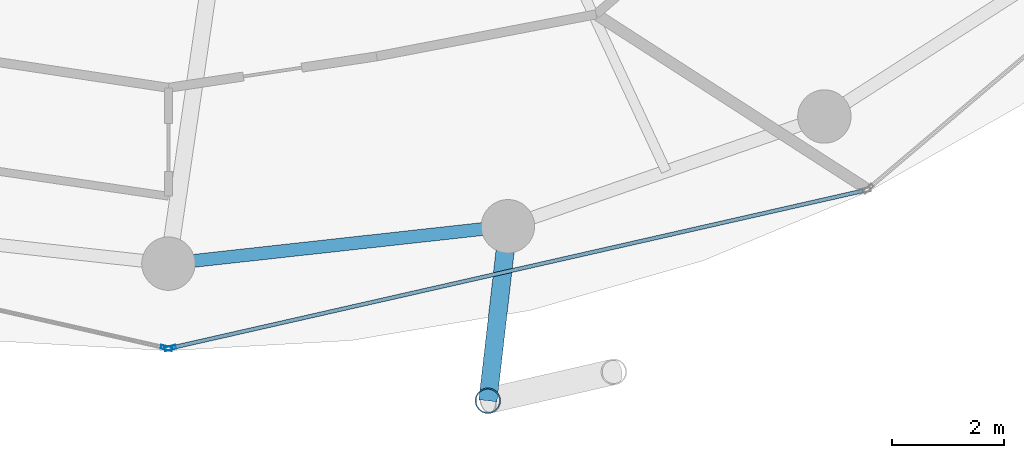
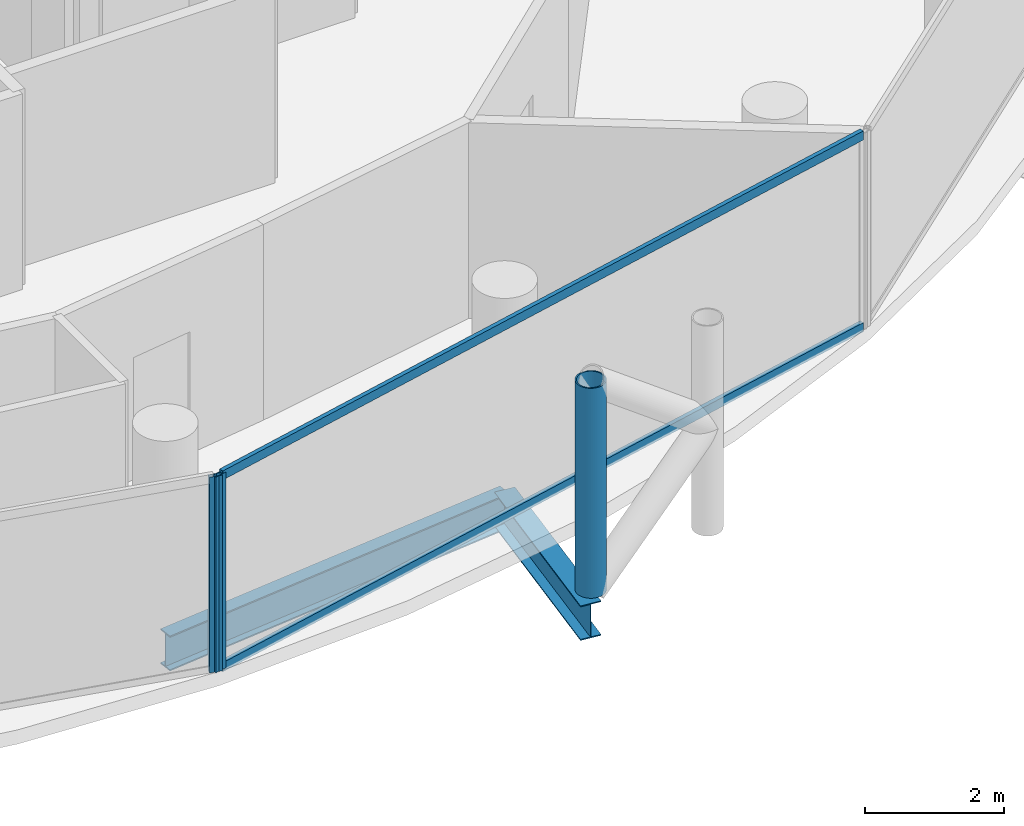
# One storey, part 4 of 26: 5 members, 2 beams, 2 elements without a shape of their own.
"""IFC4 building model written with IfcOpenShell, lengths in metres."""

from ifc_helpers import new_model, si_unit, direction, frame, origin, origin_2d, place, context, subcontext, project, spatial, hollow_rectangle, hollow_circle, i_section, extrude, material, layer, layer_set, material_profile, profile_set, type_object, element, aggregate, save


model = new_model("IFC4")

# Units and contexts
model_context = context("Model", 3, precision=1e-05, world=origin(), true_north=direction((0.0, 1.0)))
body_context = subcontext(model_context, "Body", "Model", "MODEL_VIEW")
ifc_project = project(units=[si_unit("LENGTHUNIT", "METRE"), si_unit("AREAUNIT", "SQUARE_METRE"), si_unit("VOLUMEUNIT", "CUBIC_METRE"), si_unit("PLANEANGLEUNIT", "RADIAN"), si_unit("MASSUNIT", "GRAM", prefix="KILO")], contexts=[model_context])

# Site, building, storey
site_placement = place(None, origin())
site = spatial("IfcSite", under=ifc_project, at=site_placement, CompositionType="ELEMENT")
building_placement = place(site_placement, origin())
building = spatial("IfcBuilding", under=site, at=building_placement, Name="Nuhasar Tower", CompositionType="ELEMENT")
storey_placement = place(building_placement, frame((0.0, 0.0, 181.14990234375)))
storey = spatial("IfcBuildingStorey", under=building, at=storey_placement, Name="L44", CompositionType="ELEMENT", Elevation=181.14990234375)

# Beams
ifc_material_1 = material(Name="Steel S355", Category="steel")
ifc_material_profile_1 = material_profile(ifc_material_1, i_section(OverallWidth=0.22998046875, OverallDepth=0.616943359375, WebThickness=0.01318359375, FlangeThickness=0.022216796875, at=origin_2d()), Name="W24X94")
ifc_profile_set_1 = profile_set([ifc_material_profile_1], Name="Steel S355")
beam_type_1 = type_object("IfcBeamType", Name="BM-RING-W24X94", PredefinedType="SPANDREL", material=ifc_profile_set_1)
beam_1_placement = place(storey_placement, frame((39.0, 7.25, -0.558837890625), z_axis=(0.993981289157, 0.109549974015, 0.0), x_axis=(-0.109549974015, 0.993981289157, 0.0)))
element("IfcBeam", 1, at=beam_1_placement, inside=storey, type_object=beam_type_1, Name="L44 Perimeter Ring Spandrel 19", PredefinedType="SPANDREL", context=body_context, shape_type="SweptSolid", body=[
    extrude(i_section(OverallWidth=0.22998046875, OverallDepth=0.616943359375, WebThickness=0.01318359375, FlangeThickness=0.022216796875, at=origin_2d()), origin(), (0.0, 0.0, 1.0), 6.07958984375),
])
ifc_material_profile_2 = material_profile(ifc_material_1, i_section(OverallWidth=0.323974609375, OverallDepth=0.611083984375, WebThickness=0.0126953125, FlangeThickness=0.01904296875, at=origin_2d()), Name="W24X104")
ifc_profile_set_2 = profile_set([ifc_material_profile_2], Name="Steel S355")
beam_type_2 = type_object("IfcBeamType", Name="BM-TIE-W24X104", PredefinedType="BEAM", material=ifc_profile_set_2)
beam_2_placement = place(storey_placement, frame((45.04296875, 7.916015625, -0.554931640625), z_axis=(-0.114167639647, -0.993461499031, 0.0), x_axis=(0.993461499031, -0.114167639647, 0.0)))
element("IfcBeam", 2, at=beam_2_placement, inside=storey, type_object=beam_type_2, Name="L44 Exoskeleton Node Tie Beam 10", PredefinedType="BEAM", context=body_context, shape_type="SweptSolid", body=[
    extrude(i_section(OverallWidth=0.323974609375, OverallDepth=0.611083984375, WebThickness=0.0126953125, FlangeThickness=0.01904296875, at=origin_2d()), origin(), (0.0, 0.0, 1.0), 3.12646484375),
])

# Curtain wall, member
ifc_material_2 = material(Name="Aluminium 6063-T6", Category="aluminium")
ifc_layer = layer(ifc_material_2, 0.199951171875)
ifc_layer_set = layer_set([ifc_layer], Name="Aluminium 6063-T6")
curtain_wall_type = type_object("IfcCurtainWallType", Name="CW-Z2-HTL", PredefinedType="NOTDEFINED", material=ifc_layer_set)
curtain_wall_1_placement = place(storey_placement, origin())
curtain_wall_1 = element("IfcCurtainWall", 3, at=curtain_wall_1_placement, inside=storey, type_object=curtain_wall_type, Name="L44 Unitised Curtain Wall 09", PredefinedType="NOTDEFINED")
ifc_material_profile_3 = material_profile(ifc_material_2, hollow_rectangle(XDim=0.070068359375, YDim=0.199951171875, WallThickness=0.0048828125, at=origin_2d()), Name="CWM-3")
ifc_profile_set_3 = profile_set([ifc_material_profile_3], Name="Aluminium 6063-T6")
member_type_1 = type_object("IfcMemberType", Name="CW-MUL-S3", PredefinedType="MULLION", material=ifc_profile_set_3)
member_1_placement = place(storey_placement, frame((38.9658203125, 5.747802734375, 0.0), z_axis=(0.0, 0.0, 1.0), x_axis=(0.22139729566, 0.975183694221, 0.0)))
member_1 = element("IfcMember", 4, at=member_1_placement, type_object=member_type_1, Name="CW-Z2 mullion 2", PredefinedType="MULLION", context=body_context, shape_type="SweptSolid", body=[
    extrude(hollow_rectangle(XDim=0.070068359375, YDim=0.199951171875, WallThickness=0.0048828125, at=origin_2d()), origin(), (0.0, 0.0, 1.0), 3.4501953125),
])
aggregate(curtain_wall_1, [member_1])

# Curtain wall, members
curtain_wall_2_placement = place(storey_placement, origin())
curtain_wall_2 = element("IfcCurtainWall", 5, at=curtain_wall_2_placement, inside=storey, type_object=curtain_wall_type, Name="L44 Unitised Curtain Wall 10", PredefinedType="NOTDEFINED")
member_2_placement = place(storey_placement, frame((39.0341796875, 5.747802734375, 0.0), z_axis=(0.0, 0.0, 1.0), x_axis=(-0.22139729566, 0.975183694221, 0.0)))
member_2 = element("IfcMember", 6, at=member_2_placement, type_object=member_type_1, Name="CW-Z2 mullion 1", PredefinedType="MULLION", context=body_context, shape_type="SweptSolid", body=[
    extrude(hollow_rectangle(XDim=0.070068359375, YDim=0.199951171875, WallThickness=0.0048828125, at=origin_2d()), origin(), (0.0, 0.0, 1.0), 3.4501953125),
])
ifc_material_profile_4 = material_profile(ifc_material_2, hollow_rectangle(XDim=0.070068359375, YDim=0.159912109375, WallThickness=0.00439453125, at=origin_2d()), Name="CWT-3")
ifc_profile_set_4 = profile_set([ifc_material_profile_4], Name="Aluminium 6063-T6")
member_type_2 = type_object("IfcMemberType", Name="CW-TRN-S3", PredefinedType="USERDEFINED", material=ifc_profile_set_4)
member_3_placement = place(storey_placement, frame((39.068359375, 5.755615234375, 0.03515625), z_axis=(0.975187615691, 0.221380022142, 0.0), x_axis=(-0.221380022142, 0.975187615691, 0.0)))
member_3 = element("IfcMember", 7, at=member_3_placement, type_object=member_type_2, Name="CW-Z2 transom 1.1", ObjectType="TRANSOM", PredefinedType="USERDEFINED", context=body_context, shape_type="SweptSolid", body=[
    extrude(hollow_rectangle(XDim=0.070068359375, YDim=0.159912109375, WallThickness=0.00439453125, at=origin_2d()), origin(), (0.0, 0.0, 1.0), 12.606201171875),
])
member_4_placement = place(storey_placement, frame((39.068359375, 5.755615234375, 3.4150390625), z_axis=(0.975187615691, 0.221380022142, 0.0), x_axis=(-0.221380022142, 0.975187615691, 0.0)))
member_4 = element("IfcMember", 8, at=member_4_placement, type_object=member_type_2, Name="CW-Z2 transom 1.2", ObjectType="TRANSOM", PredefinedType="USERDEFINED", context=body_context, shape_type="SweptSolid", body=[
    extrude(hollow_rectangle(XDim=0.070068359375, YDim=0.159912109375, WallThickness=0.00439453125, at=origin_2d()), origin(), (0.0, 0.0, 1.0), 12.606201171875),
])
aggregate(curtain_wall_2, [member_2, member_3, member_4])

# Member
ifc_material_3 = material(Name="Steel S460", Category="steel")
ifc_material_profile_5 = material_profile(ifc_material_3, hollow_circle(Radius=0.228515625, WallThickness=0.022216796875, at=origin_2d()), Name="HSS457X22.2")
ifc_profile_set_5 = profile_set([ifc_material_profile_5], Name="Steel S460")
member_type_3 = type_object("IfcMemberType", Name="EXO-BRONZE-457", PredefinedType="BRACE", material=ifc_profile_set_5)
member_5_placement = place(storey_placement, frame((44.68603515625, 4.81005859375, 0.0), z_axis=(0.0, 0.0, 1.0), x_axis=(1.0, 0.0, 0.0)))
element("IfcMember", 9, at=member_5_placement, inside=storey, type_object=member_type_3, Name="L44 Exoskeleton Chord Column EC-10A", PredefinedType="BRACE", context=body_context, shape_type="SweptSolid", body=[
    extrude(hollow_circle(Radius=0.228515625, WallThickness=0.022216796875, at=origin_2d()), origin(), (0.0, 0.0, 1.0), 3.7001953125),
])

save(model, "model.ifc")
